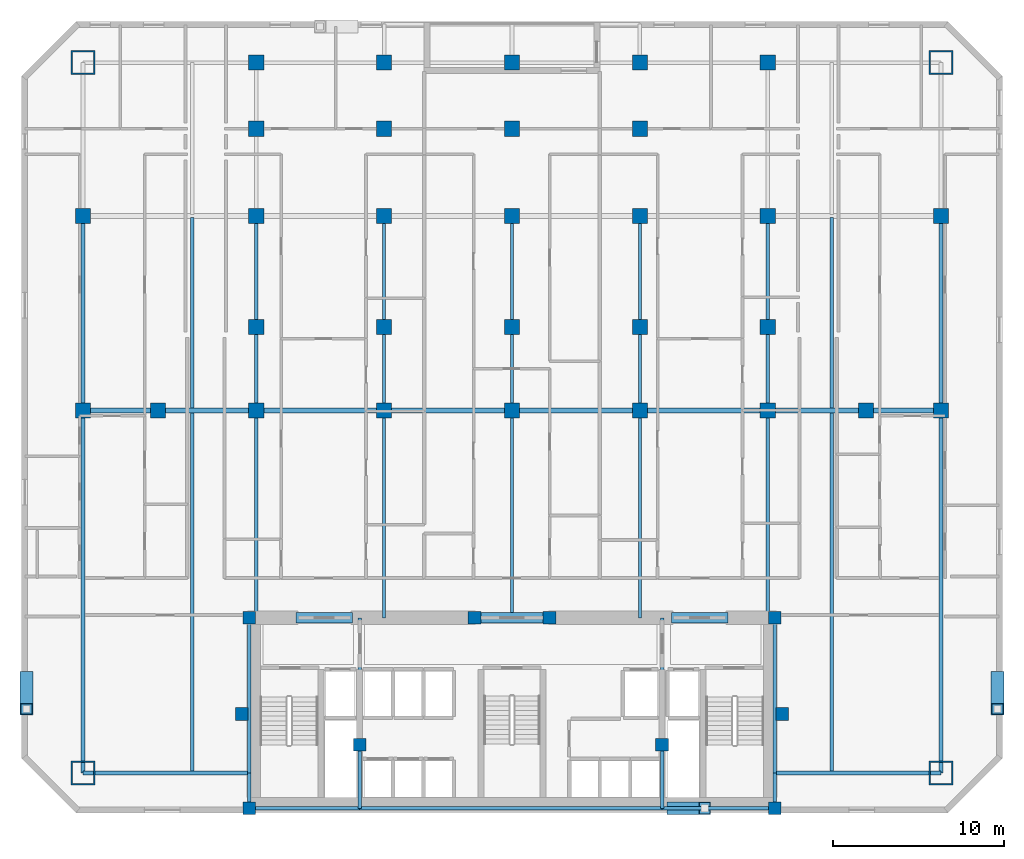
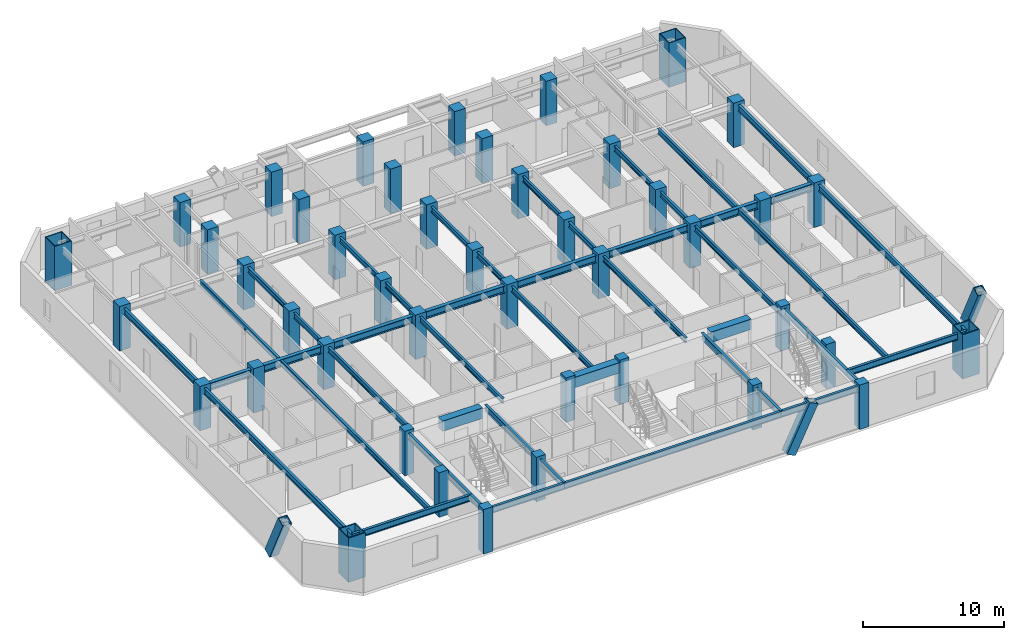
# One storey, part 1 of 10: 44 columns, 42 beams, 3 members.
"""IFC4 building model written with IfcOpenShell, lengths in metres."""

from ifc_helpers import new_model, si_unit, direction, frame, origin, origin_2d, place, context, subcontext, project, spatial, rectangle, hollow_rectangle, i_section, extrude, material, material_profile, profile_set, type_object, element, save


model = new_model("IFC4")

# Units and contexts
model_context = context("Model", 3, precision=1e-05, world=origin(), true_north=direction((0.0, 1.0)))
body_context = subcontext(model_context, "Body", "Model", "MODEL_VIEW")
ifc_project = project(units=[si_unit("LENGTHUNIT", "METRE"), si_unit("AREAUNIT", "SQUARE_METRE"), si_unit("VOLUMEUNIT", "CUBIC_METRE"), si_unit("PLANEANGLEUNIT", "RADIAN"), si_unit("MASSUNIT", "GRAM", prefix="KILO")], contexts=[model_context])

# Site, building, storey
site_placement = place(None, origin())
site = spatial("IfcSite", under=ifc_project, at=site_placement, CompositionType="ELEMENT")
building_placement = place(site_placement, origin())
building = spatial("IfcBuilding", under=site, at=building_placement, Name="Ventersveld Concourse Tower", CompositionType="ELEMENT")
storey_placement = place(building_placement, frame((0.0, 0.0, 49.050048828125)))
storey = spatial("IfcBuildingStorey", under=building, at=storey_placement, Name="L11", CompositionType="ELEMENT", Elevation=49.050048828125)

# Columns
ifc_material_1 = material(Name="Concrete C50/60", Category="concrete")
ifc_material_profile_1 = material_profile(ifc_material_1, rectangle(XDim=0.75, YDim=0.75, at=origin_2d()), Name="RC 750x750")
ifc_profile_set_1 = profile_set([ifc_material_profile_1], Name="Concrete C50/60")
column_type_1 = type_object("IfcColumnType", Name="COL-RC750", PredefinedType="COLUMN", material=ifc_profile_set_1)
for number, where, z_axis, x_axis, name in (
    (1, (13.35009765625, 0.280029296875, 0.0), (0.0, 0.0, 1.0), (1.0, 0.0, 0.0), "L11 Core Spine Column CC-SW"),
    (2, (44.14990234375, 0.280029296875, 0.0), (0.0, 0.0, 1.0), (1.0, 0.0, 0.0), "L11 Core Spine Column CC-SE"),
    (3, (13.35009765625, 11.449951171875, 0.0), (0.0, 0.0, 1.0), (1.0, 0.0, 0.0), "L11 Core Spine Column CC-NW"),
    (4, (44.14990234375, 11.449951171875, 0.0), (0.0, 0.0, 1.0), (1.0, 0.0, 0.0), "L11 Core Spine Column CC-NE"),
    (5, (19.820068359375, 4.0, 0.0), (0.0, 0.0, 1.0), (1.0, 0.0, 0.0), "L11 Core Spine Column CM-1"),
    (6, (37.550048828125, 4.0, 0.0), (0.0, 0.0, 1.0), (1.0, 0.0, 0.0), "L11 Core Spine Column CM-2"),
    (7, (26.550048828125, 11.449951171875, 0.0), (0.0, 0.0, 1.0), (1.0, 0.0, 0.0), "L11 Core Spine Column CM-3"),
    (8, (30.949951171875, 11.449951171875, 0.0), (0.0, 0.0, 1.0), (1.0, 0.0, 0.0), "L11 Core Spine Column CM-4"),
):
    element("IfcColumn", number, at=place(storey_placement, frame(where, z_axis=z_axis, x_axis=x_axis)), inside=storey, type_object=column_type_1, Name=name, PredefinedType="COLUMN", context=body_context, shape_type="SweptSolid", body=[
        extrude(rectangle(XDim=0.75, YDim=0.75, at=origin_2d()), origin(), (0.0, 0.0, 1.0), 3.849853515625),
    ])
ifc_material_2 = material(Name="Concrete C60/75", Category="concrete")
ifc_material_profile_2 = material_profile(ifc_material_2, rectangle(XDim=0.89990234375, YDim=0.89990234375, at=origin_2d()), Name="RC 900x900")
ifc_profile_set_2 = profile_set([ifc_material_profile_2], Name="Concrete C60/75")
column_type_2 = type_object("IfcColumnType", Name="COL-RC900", PredefinedType="COLUMN", material=ifc_profile_set_2)
for number, where, z_axis, x_axis, name in (
    (9, (3.60009765625, 23.60009765625, 0.0), (0.0, 0.0, 1.0), (1.0, 0.0, 0.0), "L11 Interior Gravity Column X=3.60 Y=23.60"),
    (10, (8.0, 23.60009765625, 0.0), (0.0, 0.0, 1.0), (1.0, 0.0, 0.0), "L11 Interior Gravity Column X=8.00 Y=23.60"),
    (11, (13.75, 23.60009765625, 0.0), (0.0, 0.0, 1.0), (1.0, 0.0, 0.0), "L11 Interior Gravity Column X=13.75 Y=23.60"),
    (12, (21.25, 23.60009765625, 0.0), (0.0, 0.0, 1.0), (1.0, 0.0, 0.0), "L11 Interior Gravity Column X=21.25 Y=23.60"),
    (13, (28.75, 23.60009765625, 0.0), (0.0, 0.0, 1.0), (1.0, 0.0, 0.0), "L11 Interior Gravity Column X=28.75 Y=23.60"),
    (14, (36.25, 23.60009765625, 0.0), (0.0, 0.0, 1.0), (1.0, 0.0, 0.0), "L11 Interior Gravity Column X=36.25 Y=23.60"),
    (15, (43.75, 23.60009765625, 0.0), (0.0, 0.0, 1.0), (1.0, 0.0, 0.0), "L11 Interior Gravity Column X=43.75 Y=23.60"),
    (16, (49.5, 23.60009765625, 0.0), (0.0, 0.0, 1.0), (1.0, 0.0, 0.0), "L11 Interior Gravity Column X=49.50 Y=23.60"),
    (17, (53.89990234375, 23.60009765625, 0.0), (0.0, 0.0, 1.0), (1.0, 0.0, 0.0), "L11 Interior Gravity Column X=53.90 Y=23.60"),
    (18, (13.75, 28.5, 0.0), (0.0, 0.0, 1.0), (1.0, 0.0, 0.0), "L11 Upper-North Gravity Column X=13.75 Y=28.50"),
    (19, (21.25, 28.5, 0.0), (0.0, 0.0, 1.0), (1.0, 0.0, 0.0), "L11 Upper-North Gravity Column X=21.25 Y=28.50"),
    (20, (28.75, 28.5, 0.0), (0.0, 0.0, 1.0), (1.0, 0.0, 0.0), "L11 Upper-North Gravity Column X=28.75 Y=28.50"),
    (21, (36.25, 28.5, 0.0), (0.0, 0.0, 1.0), (1.0, 0.0, 0.0), "L11 Upper-North Gravity Column X=36.25 Y=28.50"),
    (22, (43.75, 28.5, 0.0), (0.0, 0.0, 1.0), (1.0, 0.0, 0.0), "L11 Upper-North Gravity Column X=43.75 Y=28.50"),
    (23, (3.60009765625, 35.0, 0.0), (0.0, 0.0, 1.0), (1.0, 0.0, 0.0), "L11 Flank Column X=3.60 Y=35.00"),
    (24, (53.89990234375, 35.0, 0.0), (0.0, 0.0, 1.0), (1.0, 0.0, 0.0), "L11 Flank Column X=53.90 Y=35.00"),
    (25, (13.75, 44.0, 0.0), (0.0, 0.0, 1.0), (1.0, 0.0, 0.0), "L11 North Perimeter Column X=13.75 Y=44.00"),
    (26, (21.25, 44.0, 0.0), (0.0, 0.0, 1.0), (1.0, 0.0, 0.0), "L11 North Perimeter Column X=21.25 Y=44.00"),
    (27, (28.75, 44.0, 0.0), (0.0, 0.0, 1.0), (1.0, 0.0, 0.0), "L11 North Perimeter Column X=28.75 Y=44.00"),
    (28, (36.25, 44.0, 0.0), (0.0, 0.0, 1.0), (1.0, 0.0, 0.0), "L11 North Perimeter Column X=36.25 Y=44.00"),
    (29, (43.75, 44.0, 0.0), (0.0, 0.0, 1.0), (1.0, 0.0, 0.0), "L11 North Perimeter Column X=43.75 Y=44.00"),
    (30, (13.75, 40.1201171875, 0.0), (0.0, 0.0, 1.0), (1.0, 0.0, 0.0), "L11 North Brace Node Column X=13.75 Y=40.12"),
    (31, (21.25, 40.1201171875, 0.0), (0.0, 0.0, 1.0), (1.0, 0.0, 0.0), "L11 North Brace Node Column X=21.25 Y=40.12"),
    (32, (28.75, 40.1201171875, 0.0), (0.0, 0.0, 1.0), (1.0, 0.0, 0.0), "L11 North Brace Node Column X=28.75 Y=40.12"),
    (33, (36.25, 40.1201171875, 0.0), (0.0, 0.0, 1.0), (1.0, 0.0, 0.0), "L11 North Brace Node Column X=36.25 Y=40.12"),
    (34, (13.75, 35.0, 0.0), (0.0, 0.0, 1.0), (1.0, 0.0, 0.0), "L11 Mid-North Column X=13.75 Y=35.00"),
    (35, (21.25, 35.0, 0.0), (0.0, 0.0, 1.0), (1.0, 0.0, 0.0), "L11 Mid-North Column X=21.25 Y=35.00"),
    (36, (28.75, 35.0, 0.0), (0.0, 0.0, 1.0), (1.0, 0.0, 0.0), "L11 Mid-North Column X=28.75 Y=35.00"),
    (37, (36.25, 35.0, 0.0), (0.0, 0.0, 1.0), (1.0, 0.0, 0.0), "L11 Mid-North Column X=36.25 Y=35.00"),
    (38, (43.75, 35.0, 0.0), (0.0, 0.0, 1.0), (1.0, 0.0, 0.0), "L11 Mid-North Column X=43.75 Y=35.00"),
):
    element("IfcColumn", number, at=place(storey_placement, frame(where, z_axis=z_axis, x_axis=x_axis)), inside=storey, type_object=column_type_2, Name=name, PredefinedType="COLUMN", context=body_context, shape_type="SweptSolid", body=[
        extrude(rectangle(XDim=0.89990234375, YDim=0.89990234375, at=origin_2d()), origin(), (0.0, 0.0, 1.0), 3.849853515625),
    ])
ifc_material_3 = material(Name="Structural steel S460ML", Category="steel")
ifc_material_profile_3 = material_profile(ifc_material_3, hollow_rectangle(XDim=1.39990234375, YDim=1.39990234375, WallThickness=0.080078125, at=origin_2d()), Name="BOX 1400x1400x80")
ifc_profile_set_3 = profile_set([ifc_material_profile_3], Name="Structural steel S460ML")
column_type_3 = type_object("IfcColumnType", Name="MC-1400", PredefinedType="USERDEFINED", material=ifc_profile_set_3)
for number, where, z_axis, x_axis, name in (
    (39, (3.60009765625, 2.35009765625, 0.0), (0.0, 0.0, 1.0), (1.0, 0.0, 0.0), "L11 Corner Mega-Column MC-SW"),
    (40, (53.89990234375, 2.35009765625, 0.0), (0.0, 0.0, 1.0), (1.0, 0.0, 0.0), "L11 Corner Mega-Column MC-SE"),
    (41, (53.89990234375, 44.0, 0.0), (0.0, 0.0, 1.0), (1.0, 0.0, 0.0), "L11 Corner Mega-Column MC-NE"),
    (42, (3.60009765625, 44.0, 0.0), (0.0, 0.0, 1.0), (1.0, 0.0, 0.0), "L11 Corner Mega-Column MC-NW"),
):
    element("IfcColumn", number, at=place(storey_placement, frame(where, z_axis=z_axis, x_axis=x_axis)), inside=storey, type_object=column_type_3, Name=name, ObjectType="MEGA_COLUMN", PredefinedType="USERDEFINED", context=body_context, shape_type="SweptSolid", body=[
        extrude(hollow_rectangle(XDim=1.39990234375, YDim=1.39990234375, WallThickness=0.080078125, at=origin_2d()), origin(), (0.0, 0.0, 1.0), 3.849853515625),
    ])
ifc_material_profile_4 = material_profile(ifc_material_1, rectangle(XDim=0.75, YDim=0.75, at=origin_2d()), Name="RC 750x750")
ifc_profile_set_4 = profile_set([ifc_material_profile_4], Name="Concrete C50/60")
column_type_4 = type_object("IfcColumnType", Name="PIL-RC750", PredefinedType="PILASTER", material=ifc_profile_set_4)
for number, where, z_axis, x_axis, name in (
    (43, (12.89990234375, 5.800048828125, 0.0), (0.0, 0.0, 1.0), (1.0, 0.0, 0.0), "L11 Core Engaged Pilaster PIL-W"),
    (44, (44.60009765625, 5.800048828125, 0.0), (0.0, 0.0, 1.0), (1.0, 0.0, 0.0), "L11 Core Engaged Pilaster PIL-E"),
):
    element("IfcColumn", number, at=place(storey_placement, frame(where, z_axis=z_axis, x_axis=x_axis)), inside=storey, type_object=column_type_4, Name=name, PredefinedType="PILASTER", context=body_context, shape_type="SweptSolid", body=[
        extrude(rectangle(XDim=0.75, YDim=0.75, at=origin_2d()), origin(), (0.0, 0.0, 1.0), 3.849853515625),
    ])

# Beams
ifc_material_4 = material(Name="Structural steel S355J2", Category="steel")
ifc_material_profile_5 = material_profile(ifc_material_4, i_section(OverallWidth=0.19140625, OverallDepth=0.4599609375, WebThickness=0.010009765625, FlangeThickness=0.01611328125, FilletRadius=0.01025390625, at=origin_2d()), Name="UB 457x191x82")
ifc_profile_set_5 = profile_set([ifc_material_profile_5], Name="Structural steel S355J2")
beam_type_1 = type_object("IfcBeamType", Name="BM-UB457H", PredefinedType="BEAM", material=ifc_profile_set_5)
beam_1_placement = place(storey_placement, frame((10.0, 2.35009765625, 3.369873046875), z_axis=(0.0, 1.0, 0.0), x_axis=(-1.0, 0.0, 0.0)))
element("IfcBeam", 45, at=beam_1_placement, inside=storey, type_object=beam_type_1, Name="L11 N-S Composite Floor Beam South X=10.00", PredefinedType="BEAM", context=body_context, shape_type="SweptSolid", body=[
    extrude(i_section(OverallWidth=0.19140625, OverallDepth=0.4599609375, WebThickness=0.010009765625, FlangeThickness=0.01611328125, FilletRadius=0.01025390625, at=origin_2d()), origin(), (0.0, 0.0, 1.0), 21.15478515625),
])
beam_2_placement = place(storey_placement, frame((10.0, 23.695068359375, 3.369873046875), z_axis=(0.0, 1.0, 0.0), x_axis=(-1.0, 0.0, 0.0)))
element("IfcBeam", 46, at=beam_2_placement, inside=storey, type_object=beam_type_1, Name="L11 N-S Composite Floor Beam Mid X=10.00", PredefinedType="BEAM", context=body_context, shape_type="SweptSolid", body=[
    extrude(i_section(OverallWidth=0.19140625, OverallDepth=0.4599609375, WebThickness=0.010009765625, FlangeThickness=0.01611328125, FilletRadius=0.01025390625, at=origin_2d()), origin(), (0.0, 0.0, 1.0), 11.2099609375),
])
beam_3_placement = place(storey_placement, frame((13.75, 11.449951171875, 3.369873046875), z_axis=(0.0, 1.0, 0.0), x_axis=(-1.0, 0.0, 0.0)))
element("IfcBeam", 47, at=beam_3_placement, inside=storey, type_object=beam_type_1, Name="L11 N-S Composite Floor Beam South X=13.75", PredefinedType="BEAM", context=body_context, shape_type="SweptSolid", body=[
    extrude(i_section(OverallWidth=0.19140625, OverallDepth=0.4599609375, WebThickness=0.010009765625, FlangeThickness=0.01611328125, FilletRadius=0.01025390625, at=origin_2d()), origin(), (0.0, 0.0, 1.0), 12.150146484375),
])
beam_4_placement = place(storey_placement, frame((13.75, 23.60009765625, 3.369873046875), z_axis=(0.0, 1.0, 0.0), x_axis=(-1.0, 0.0, 0.0)))
element("IfcBeam", 48, at=beam_4_placement, inside=storey, type_object=beam_type_1, Name="L11 N-S Composite Floor Beam Mid X=13.75", PredefinedType="BEAM", context=body_context, shape_type="SweptSolid", body=[
    extrude(i_section(OverallWidth=0.19140625, OverallDepth=0.4599609375, WebThickness=0.010009765625, FlangeThickness=0.01611328125, FilletRadius=0.01025390625, at=origin_2d()), origin(), (0.0, 0.0, 1.0), 11.39990234375),
])
beam_5_placement = place(storey_placement, frame((21.25, 11.449951171875, 3.369873046875), z_axis=(0.0, 1.0, 0.0), x_axis=(-1.0, 0.0, 0.0)))
element("IfcBeam", 49, at=beam_5_placement, inside=storey, type_object=beam_type_1, Name="L11 N-S Composite Floor Beam South X=21.25", PredefinedType="BEAM", context=body_context, shape_type="SweptSolid", body=[
    extrude(i_section(OverallWidth=0.19140625, OverallDepth=0.4599609375, WebThickness=0.010009765625, FlangeThickness=0.01611328125, FilletRadius=0.01025390625, at=origin_2d()), origin(), (0.0, 0.0, 1.0), 12.150146484375),
])
beam_6_placement = place(storey_placement, frame((21.25, 23.60009765625, 3.369873046875), z_axis=(0.0, 1.0, 0.0), x_axis=(-1.0, 0.0, 0.0)))
element("IfcBeam", 50, at=beam_6_placement, inside=storey, type_object=beam_type_1, Name="L11 N-S Composite Floor Beam Mid X=21.25", PredefinedType="BEAM", context=body_context, shape_type="SweptSolid", body=[
    extrude(i_section(OverallWidth=0.19140625, OverallDepth=0.4599609375, WebThickness=0.010009765625, FlangeThickness=0.01611328125, FilletRadius=0.01025390625, at=origin_2d()), origin(), (0.0, 0.0, 1.0), 11.39990234375),
])
beam_7_placement = place(storey_placement, frame((28.75, 11.449951171875, 3.369873046875), z_axis=(0.0, 1.0, 0.0), x_axis=(-1.0, 0.0, 0.0)))
element("IfcBeam", 51, at=beam_7_placement, inside=storey, type_object=beam_type_1, Name="L11 N-S Composite Floor Beam South X=28.75", PredefinedType="BEAM", context=body_context, shape_type="SweptSolid", body=[
    extrude(i_section(OverallWidth=0.19140625, OverallDepth=0.4599609375, WebThickness=0.010009765625, FlangeThickness=0.01611328125, FilletRadius=0.01025390625, at=origin_2d()), origin(), (0.0, 0.0, 1.0), 12.150146484375),
])
beam_8_placement = place(storey_placement, frame((28.75, 23.60009765625, 3.369873046875), z_axis=(0.0, 1.0, 0.0), x_axis=(-1.0, 0.0, 0.0)))
element("IfcBeam", 52, at=beam_8_placement, inside=storey, type_object=beam_type_1, Name="L11 N-S Composite Floor Beam Mid X=28.75", PredefinedType="BEAM", context=body_context, shape_type="SweptSolid", body=[
    extrude(i_section(OverallWidth=0.19140625, OverallDepth=0.4599609375, WebThickness=0.010009765625, FlangeThickness=0.01611328125, FilletRadius=0.01025390625, at=origin_2d()), origin(), (0.0, 0.0, 1.0), 11.39990234375),
])
beam_9_placement = place(storey_placement, frame((36.25, 11.449951171875, 3.369873046875), z_axis=(0.0, 1.0, 0.0), x_axis=(-1.0, 0.0, 0.0)))
element("IfcBeam", 53, at=beam_9_placement, inside=storey, type_object=beam_type_1, Name="L11 N-S Composite Floor Beam South X=36.25", PredefinedType="BEAM", context=body_context, shape_type="SweptSolid", body=[
    extrude(i_section(OverallWidth=0.19140625, OverallDepth=0.4599609375, WebThickness=0.010009765625, FlangeThickness=0.01611328125, FilletRadius=0.01025390625, at=origin_2d()), origin(), (0.0, 0.0, 1.0), 12.150146484375),
])
beam_10_placement = place(storey_placement, frame((36.25, 23.60009765625, 3.369873046875), z_axis=(0.0, 1.0, 0.0), x_axis=(-1.0, 0.0, 0.0)))
element("IfcBeam", 54, at=beam_10_placement, inside=storey, type_object=beam_type_1, Name="L11 N-S Composite Floor Beam Mid X=36.25", PredefinedType="BEAM", context=body_context, shape_type="SweptSolid", body=[
    extrude(i_section(OverallWidth=0.19140625, OverallDepth=0.4599609375, WebThickness=0.010009765625, FlangeThickness=0.01611328125, FilletRadius=0.01025390625, at=origin_2d()), origin(), (0.0, 0.0, 1.0), 11.39990234375),
])
beam_11_placement = place(storey_placement, frame((43.75, 11.449951171875, 3.369873046875), z_axis=(0.0, 1.0, 0.0), x_axis=(-1.0, 0.0, 0.0)))
element("IfcBeam", 55, at=beam_11_placement, inside=storey, type_object=beam_type_1, Name="L11 N-S Composite Floor Beam South X=43.75", PredefinedType="BEAM", context=body_context, shape_type="SweptSolid", body=[
    extrude(i_section(OverallWidth=0.19140625, OverallDepth=0.4599609375, WebThickness=0.010009765625, FlangeThickness=0.01611328125, FilletRadius=0.01025390625, at=origin_2d()), origin(), (0.0, 0.0, 1.0), 12.150146484375),
])
beam_12_placement = place(storey_placement, frame((43.75, 23.60009765625, 3.369873046875), z_axis=(0.0, 1.0, 0.0), x_axis=(-1.0, 0.0, 0.0)))
element("IfcBeam", 56, at=beam_12_placement, inside=storey, type_object=beam_type_1, Name="L11 N-S Composite Floor Beam Mid X=43.75", PredefinedType="BEAM", context=body_context, shape_type="SweptSolid", body=[
    extrude(i_section(OverallWidth=0.19140625, OverallDepth=0.4599609375, WebThickness=0.010009765625, FlangeThickness=0.01611328125, FilletRadius=0.01025390625, at=origin_2d()), origin(), (0.0, 0.0, 1.0), 11.39990234375),
])
beam_13_placement = place(storey_placement, frame((47.5, 2.35009765625, 3.369873046875), z_axis=(0.0, 1.0, 0.0), x_axis=(-1.0, 0.0, 0.0)))
element("IfcBeam", 57, at=beam_13_placement, inside=storey, type_object=beam_type_1, Name="L11 N-S Composite Floor Beam South X=47.50", PredefinedType="BEAM", context=body_context, shape_type="SweptSolid", body=[
    extrude(i_section(OverallWidth=0.19140625, OverallDepth=0.4599609375, WebThickness=0.010009765625, FlangeThickness=0.01611328125, FilletRadius=0.01025390625, at=origin_2d()), origin(), (0.0, 0.0, 1.0), 21.15478515625),
])
beam_14_placement = place(storey_placement, frame((47.5, 23.695068359375, 3.369873046875), z_axis=(0.0, 1.0, 0.0), x_axis=(-1.0, 0.0, 0.0)))
element("IfcBeam", 58, at=beam_14_placement, inside=storey, type_object=beam_type_1, Name="L11 N-S Composite Floor Beam Mid X=47.50", PredefinedType="BEAM", context=body_context, shape_type="SweptSolid", body=[
    extrude(i_section(OverallWidth=0.19140625, OverallDepth=0.4599609375, WebThickness=0.010009765625, FlangeThickness=0.01611328125, FilletRadius=0.01025390625, at=origin_2d()), origin(), (0.0, 0.0, 1.0), 11.2099609375),
])
ifc_material_profile_6 = material_profile(ifc_material_2, rectangle(XDim=0.60009765625, YDim=0.89990234375, at=origin_2d()), Name="RC 600x900")
ifc_profile_set_6 = profile_set([ifc_material_profile_6], Name="Concrete C60/75")
beam_type_2 = type_object("IfcBeamType", Name="CB-RC600x900L", PredefinedType="LINTEL", material=ifc_profile_set_6)
beam_15_placement = place(storey_placement, frame((16.10009765625, 11.449951171875, 3.14990234375), z_axis=(1.0, 0.0, 0.0), x_axis=(0.0, 1.0, 0.0)))
element("IfcBeam", 59, at=beam_15_placement, inside=storey, type_object=beam_type_2, Name="L11 Core Coupling Lintel Beam 1", PredefinedType="LINTEL", context=body_context, shape_type="SweptSolid", body=[
    extrude(rectangle(XDim=0.60009765625, YDim=0.89990234375, at=origin_2d()), origin(), (0.0, 0.0, 1.0), 3.2998046875),
])
beam_16_placement = place(storey_placement, frame((26.5, 11.449951171875, 3.14990234375), z_axis=(1.0, 0.0, 0.0), x_axis=(0.0, 1.0, 0.0)))
element("IfcBeam", 60, at=beam_16_placement, inside=storey, type_object=beam_type_2, Name="L11 Core Coupling Lintel Beam 2", PredefinedType="LINTEL", context=body_context, shape_type="SweptSolid", body=[
    extrude(rectangle(XDim=0.60009765625, YDim=0.89990234375, at=origin_2d()), origin(), (0.0, 0.0, 1.0), 4.5),
])
beam_17_placement = place(storey_placement, frame((38.10009765625, 11.449951171875, 3.14990234375), z_axis=(1.0, 0.0, 0.0), x_axis=(0.0, 1.0, 0.0)))
element("IfcBeam", 61, at=beam_17_placement, inside=storey, type_object=beam_type_2, Name="L11 Core Coupling Lintel Beam 3", PredefinedType="LINTEL", context=body_context, shape_type="SweptSolid", body=[
    extrude(rectangle(XDim=0.60009765625, YDim=0.89990234375, at=origin_2d()), origin(), (0.0, 0.0, 1.0), 3.2998046875),
])
ifc_material_profile_7 = material_profile(ifc_material_4, i_section(OverallWidth=0.2119140625, OverallDepth=0.54443359375, WebThickness=0.0126953125, FlangeThickness=0.021240234375, FilletRadius=0.0126953125, at=origin_2d()), Name="UB 533x210x122")
ifc_profile_set_7 = profile_set([ifc_material_profile_7], Name="Structural steel S355J2")
beam_type_3 = type_object("IfcBeamType", Name="GRD-UB533H", PredefinedType="T_BEAM", material=ifc_profile_set_7)
beam_18_placement = place(storey_placement, frame((13.35009765625, 0.280029296875, 3.32763671875), z_axis=(0.0, 1.0, 0.0), x_axis=(-1.0, 0.0, 0.0)))
element("IfcBeam", 62, at=beam_18_placement, inside=storey, type_object=beam_type_3, Name="L11 Core West Tie Beam S", PredefinedType="T_BEAM", context=body_context, shape_type="SweptSolid", body=[
    extrude(i_section(OverallWidth=0.2119140625, OverallDepth=0.54443359375, WebThickness=0.0126953125, FlangeThickness=0.021240234375, FilletRadius=0.0126953125, at=origin_2d()), origin(), (0.0, 0.0, 1.0), 2.070068359375),
])
beam_19_placement = place(storey_placement, frame((13.35009765625, 2.35009765625, 3.32763671875), z_axis=(0.0, 1.0, 0.0), x_axis=(-1.0, 0.0, 0.0)))
element("IfcBeam", 63, at=beam_19_placement, inside=storey, type_object=beam_type_3, Name="L11 Core West Tie Beam N", PredefinedType="T_BEAM", context=body_context, shape_type="SweptSolid", body=[
    extrude(i_section(OverallWidth=0.2119140625, OverallDepth=0.54443359375, WebThickness=0.0126953125, FlangeThickness=0.021240234375, FilletRadius=0.0126953125, at=origin_2d()), origin(), (0.0, 0.0, 1.0), 9.099853515625),
])
beam_20_placement = place(storey_placement, frame((44.14990234375, 0.280029296875, 3.32763671875), z_axis=(0.0, 1.0, 0.0), x_axis=(-1.0, 0.0, 0.0)))
element("IfcBeam", 64, at=beam_20_placement, inside=storey, type_object=beam_type_3, Name="L11 Core East Tie Beam S", PredefinedType="T_BEAM", context=body_context, shape_type="SweptSolid", body=[
    extrude(i_section(OverallWidth=0.2119140625, OverallDepth=0.54443359375, WebThickness=0.0126953125, FlangeThickness=0.021240234375, FilletRadius=0.0126953125, at=origin_2d()), origin(), (0.0, 0.0, 1.0), 2.070068359375),
])
beam_21_placement = place(storey_placement, frame((44.14990234375, 2.35009765625, 3.32763671875), z_axis=(0.0, 1.0, 0.0), x_axis=(-1.0, 0.0, 0.0)))
element("IfcBeam", 65, at=beam_21_placement, inside=storey, type_object=beam_type_3, Name="L11 Core East Tie Beam N", PredefinedType="T_BEAM", context=body_context, shape_type="SweptSolid", body=[
    extrude(i_section(OverallWidth=0.2119140625, OverallDepth=0.54443359375, WebThickness=0.0126953125, FlangeThickness=0.021240234375, FilletRadius=0.0126953125, at=origin_2d()), origin(), (0.0, 0.0, 1.0), 9.099853515625),
])
beam_22_placement = place(storey_placement, frame((13.35009765625, 0.280029296875, 3.32763671875), z_axis=(1.0, 0.0, 0.0), x_axis=(0.0, 1.0, 0.0)))
element("IfcBeam", 66, at=beam_22_placement, inside=storey, type_object=beam_type_3, Name="L11 Core South Tie Beam W", PredefinedType="T_BEAM", context=body_context, shape_type="SweptSolid", body=[
    extrude(i_section(OverallWidth=0.2119140625, OverallDepth=0.54443359375, WebThickness=0.0126953125, FlangeThickness=0.021240234375, FilletRadius=0.0126953125, at=origin_2d()), origin(), (0.0, 0.0, 1.0), 6.469970703125),
])
beam_23_placement = place(storey_placement, frame((19.820068359375, 0.280029296875, 3.32763671875), z_axis=(1.0, 0.0, 0.0), x_axis=(0.0, 1.0, 0.0)))
element("IfcBeam", 67, at=beam_23_placement, inside=storey, type_object=beam_type_3, Name="L11 Core South Tie Beam C", PredefinedType="T_BEAM", context=body_context, shape_type="SweptSolid", body=[
    extrude(i_section(OverallWidth=0.2119140625, OverallDepth=0.54443359375, WebThickness=0.0126953125, FlangeThickness=0.021240234375, FilletRadius=0.0126953125, at=origin_2d()), origin(), (0.0, 0.0, 1.0), 17.72998046875),
])
beam_24_placement = place(storey_placement, frame((37.550048828125, 0.280029296875, 3.32763671875), z_axis=(1.0, 0.0, 0.0), x_axis=(0.0, 1.0, 0.0)))
element("IfcBeam", 68, at=beam_24_placement, inside=storey, type_object=beam_type_3, Name="L11 Core South Tie Beam E", PredefinedType="T_BEAM", context=body_context, shape_type="SweptSolid", body=[
    extrude(i_section(OverallWidth=0.2119140625, OverallDepth=0.54443359375, WebThickness=0.0126953125, FlangeThickness=0.021240234375, FilletRadius=0.0126953125, at=origin_2d()), origin(), (0.0, 0.0, 1.0), 6.599853515625),
])
beam_25_placement = place(storey_placement, frame((19.820068359375, 0.280029296875, 3.32763671875), z_axis=(0.0, 1.0, 0.0), x_axis=(-1.0, 0.0, 0.0)))
element("IfcBeam", 69, at=beam_25_placement, inside=storey, type_object=beam_type_3, Name="L11 Core Spine N-S Tie Beam W1", PredefinedType="T_BEAM", context=body_context, shape_type="SweptSolid", body=[
    extrude(i_section(OverallWidth=0.2119140625, OverallDepth=0.54443359375, WebThickness=0.0126953125, FlangeThickness=0.021240234375, FilletRadius=0.0126953125, at=origin_2d()), origin(), (0.0, 0.0, 1.0), 3.719970703125),
])
beam_26_placement = place(storey_placement, frame((19.820068359375, 4.0, 3.32763671875), z_axis=(0.0, 1.0, 0.0), x_axis=(-1.0, 0.0, 0.0)))
element("IfcBeam", 70, at=beam_26_placement, inside=storey, type_object=beam_type_3, Name="L11 Core Spine N-S Tie Beam W2", PredefinedType="T_BEAM", context=body_context, shape_type="SweptSolid", body=[
    extrude(i_section(OverallWidth=0.2119140625, OverallDepth=0.54443359375, WebThickness=0.0126953125, FlangeThickness=0.021240234375, FilletRadius=0.0126953125, at=origin_2d()), origin(), (0.0, 0.0, 1.0), 7.449951171875),
])
beam_27_placement = place(storey_placement, frame((37.550048828125, 0.280029296875, 3.32763671875), z_axis=(0.0, 1.0, 0.0), x_axis=(-1.0, 0.0, 0.0)))
element("IfcBeam", 71, at=beam_27_placement, inside=storey, type_object=beam_type_3, Name="L11 Core Spine N-S Tie Beam E1", PredefinedType="T_BEAM", context=body_context, shape_type="SweptSolid", body=[
    extrude(i_section(OverallWidth=0.2119140625, OverallDepth=0.54443359375, WebThickness=0.0126953125, FlangeThickness=0.021240234375, FilletRadius=0.0126953125, at=origin_2d()), origin(), (0.0, 0.0, 1.0), 3.719970703125),
])
beam_28_placement = place(storey_placement, frame((37.550048828125, 4.0, 3.32763671875), z_axis=(0.0, 1.0, 0.0), x_axis=(-1.0, 0.0, 0.0)))
element("IfcBeam", 72, at=beam_28_placement, inside=storey, type_object=beam_type_3, Name="L11 Core Spine N-S Tie Beam E2", PredefinedType="T_BEAM", context=body_context, shape_type="SweptSolid", body=[
    extrude(i_section(OverallWidth=0.2119140625, OverallDepth=0.54443359375, WebThickness=0.0126953125, FlangeThickness=0.021240234375, FilletRadius=0.0126953125, at=origin_2d()), origin(), (0.0, 0.0, 1.0), 7.449951171875),
])
ifc_material_profile_8 = material_profile(ifc_material_4, i_section(OverallWidth=0.311279296875, OverallDepth=0.6357421875, WebThickness=0.018310546875, FlangeThickness=0.031494140625, FilletRadius=0.0166015625, at=origin_2d()), Name="UB 610x305x238")
ifc_profile_set_8 = profile_set([ifc_material_profile_8], Name="Structural steel S355J2")
beam_type_4 = type_object("IfcBeamType", Name="GRD-UB610H", PredefinedType="USERDEFINED", material=ifc_profile_set_8)
beam_29_placement = place(storey_placement, frame((3.60009765625, 23.60009765625, 3.281982421875), z_axis=(1.0, 0.0, 0.0), x_axis=(0.0, 1.0, 0.0)))
element("IfcBeam", 73, at=beam_29_placement, inside=storey, type_object=beam_type_4, Name="L11 Primary E-W Grid Girder Y=23.60 #1", ObjectType="GIRDER", PredefinedType="USERDEFINED", context=body_context, shape_type="SweptSolid", body=[
    extrude(i_section(OverallWidth=0.311279296875, OverallDepth=0.6357421875, WebThickness=0.018310546875, FlangeThickness=0.031494140625, FilletRadius=0.0166015625, at=origin_2d()), origin(), (0.0, 0.0, 1.0), 4.39990234375),
])
beam_30_placement = place(storey_placement, frame((8.0, 23.60009765625, 3.281982421875), z_axis=(1.0, 0.0, 0.0), x_axis=(0.0, 1.0, 0.0)))
element("IfcBeam", 74, at=beam_30_placement, inside=storey, type_object=beam_type_4, Name="L11 Primary E-W Grid Girder Y=23.60 #2", ObjectType="GIRDER", PredefinedType="USERDEFINED", context=body_context, shape_type="SweptSolid", body=[
    extrude(i_section(OverallWidth=0.311279296875, OverallDepth=0.6357421875, WebThickness=0.018310546875, FlangeThickness=0.031494140625, FilletRadius=0.0166015625, at=origin_2d()), origin(), (0.0, 0.0, 1.0), 5.75),
])
for number, where, z_axis, x_axis, name in (
    (75, (13.75, 23.60009765625, 3.281982421875), (1.0, 0.0, 0.0), (0.0, 1.0, 0.0), "L11 Primary E-W Grid Girder Y=23.60 #3"),
    (76, (21.25, 23.60009765625, 3.281982421875), (1.0, 0.0, 0.0), (0.0, 1.0, 0.0), "L11 Primary E-W Grid Girder Y=23.60 #4"),
    (77, (28.75, 23.60009765625, 3.281982421875), (1.0, 0.0, 0.0), (0.0, 1.0, 0.0), "L11 Primary E-W Grid Girder Y=23.60 #5"),
    (78, (36.25, 23.60009765625, 3.281982421875), (1.0, 0.0, 0.0), (0.0, 1.0, 0.0), "L11 Primary E-W Grid Girder Y=23.60 #6"),
):
    element("IfcBeam", number, at=place(storey_placement, frame(where, z_axis=z_axis, x_axis=x_axis)), inside=storey, type_object=beam_type_4, Name=name, ObjectType="GIRDER", PredefinedType="USERDEFINED", context=body_context, shape_type="SweptSolid", body=[
        extrude(i_section(OverallWidth=0.311279296875, OverallDepth=0.6357421875, WebThickness=0.018310546875, FlangeThickness=0.031494140625, FilletRadius=0.0166015625, at=origin_2d()), origin(), (0.0, 0.0, 1.0), 7.5),
    ])
beam_31_placement = place(storey_placement, frame((43.75, 23.60009765625, 3.281982421875), z_axis=(1.0, 0.0, 0.0), x_axis=(0.0, 1.0, 0.0)))
element("IfcBeam", 79, at=beam_31_placement, inside=storey, type_object=beam_type_4, Name="L11 Primary E-W Grid Girder Y=23.60 #7", ObjectType="GIRDER", PredefinedType="USERDEFINED", context=body_context, shape_type="SweptSolid", body=[
    extrude(i_section(OverallWidth=0.311279296875, OverallDepth=0.6357421875, WebThickness=0.018310546875, FlangeThickness=0.031494140625, FilletRadius=0.0166015625, at=origin_2d()), origin(), (0.0, 0.0, 1.0), 5.75),
])
beam_32_placement = place(storey_placement, frame((49.5, 23.60009765625, 3.281982421875), z_axis=(1.0, 0.0, 0.0), x_axis=(0.0, 1.0, 0.0)))
element("IfcBeam", 80, at=beam_32_placement, inside=storey, type_object=beam_type_4, Name="L11 Primary E-W Grid Girder Y=23.60 #8", ObjectType="GIRDER", PredefinedType="USERDEFINED", context=body_context, shape_type="SweptSolid", body=[
    extrude(i_section(OverallWidth=0.311279296875, OverallDepth=0.6357421875, WebThickness=0.018310546875, FlangeThickness=0.031494140625, FilletRadius=0.0166015625, at=origin_2d()), origin(), (0.0, 0.0, 1.0), 4.39990234375),
])

# Members
ifc_material_5 = material(Name="Structural steel S355ML", Category="steel")
ifc_material_profile_9 = material_profile(ifc_material_5, hollow_rectangle(XDim=0.75, YDim=0.75, WallThickness=0.044921875, at=origin_2d()), Name="BOX 750x750x45")
ifc_profile_set_9 = profile_set([ifc_material_profile_9], Name="Structural steel S355ML")
member_type = type_object("IfcMemberType", Name="MB-750x750", PredefinedType="BRACE", material=ifc_profile_set_9)
for number, where, z_axis, x_axis, name in (
    (81, (38.175048828125, 0.280029296875, -0.25), (0.437861906815, 0.0, 0.899042240699), (0.0, 1.0, 0.0), "L11 Exterior Mega-Brace S (Module M02)"),
    (82, (0.280029296875, 7.97509765625, -0.25), (0.0, -0.437861906815, 0.899042240699), (1.0, 0.0, 0.0), "L11 Exterior Mega-Brace W (Module M02)"),
    (83, (57.219970703125, 7.97509765625, -0.25), (0.0, -0.437861906815, 0.899042240699), (1.0, 0.0, 0.0), "L11 Exterior Mega-Brace E (Module M02)"),
):
    element("IfcMember", number, at=place(storey_placement, frame(where, z_axis=z_axis, x_axis=x_axis)), inside=storey, type_object=member_type, Name=name, PredefinedType="BRACE", context=body_context, shape_type="SweptSolid", body=[
        extrude(hollow_rectangle(XDim=0.75, YDim=0.75, WallThickness=0.044921875, at=origin_2d()), origin(), (0.0, 0.0, 1.0), 4.2822265625),
    ])

# Beams
ifc_material_profile_10 = material_profile(ifc_material_4, i_section(OverallWidth=0.2119140625, OverallDepth=0.54443359375, WebThickness=0.0126953125, FlangeThickness=0.021240234375, FilletRadius=0.0126953125, at=origin_2d()), Name="UB 533x210x122")
ifc_profile_set_10 = profile_set([ifc_material_profile_10], Name="Structural steel S355J2")
beam_type_5 = type_object("IfcBeamType", Name="SPD-UB533", PredefinedType="SPANDREL", material=ifc_profile_set_10)
for number, where, z_axis, x_axis, name in (
    (84, (3.60009765625, 2.35009765625, 3.32763671875), (1.0, 0.0, 0.0), (0.0, 1.0, 0.0), "L11 SW Spandrel Beam"),
    (85, (44.14990234375, 2.35009765625, 3.32763671875), (1.0, 0.0, 0.0), (0.0, 1.0, 0.0), "L11 SE Spandrel Beam"),
):
    element("IfcBeam", number, at=place(storey_placement, frame(where, z_axis=z_axis, x_axis=x_axis)), inside=storey, type_object=beam_type_5, Name=name, PredefinedType="SPANDREL", context=body_context, shape_type="SweptSolid", body=[
        extrude(i_section(OverallWidth=0.2119140625, OverallDepth=0.54443359375, WebThickness=0.0126953125, FlangeThickness=0.021240234375, FilletRadius=0.0126953125, at=origin_2d()), origin(), (0.0, 0.0, 1.0), 9.75),
    ])
beam_33_placement = place(storey_placement, frame((3.60009765625, 2.35009765625, 3.32763671875), z_axis=(0.0, 1.0, 0.0), x_axis=(-1.0, 0.0, 0.0)))
element("IfcBeam", 86, at=beam_33_placement, inside=storey, type_object=beam_type_5, Name="L11 West Spandrel Beam S", PredefinedType="SPANDREL", context=body_context, shape_type="SweptSolid", body=[
    extrude(i_section(OverallWidth=0.2119140625, OverallDepth=0.54443359375, WebThickness=0.0126953125, FlangeThickness=0.021240234375, FilletRadius=0.0126953125, at=origin_2d()), origin(), (0.0, 0.0, 1.0), 21.25),
])
beam_34_placement = place(storey_placement, frame((3.60009765625, 23.60009765625, 3.32763671875), z_axis=(0.0, 1.0, 0.0), x_axis=(-1.0, 0.0, 0.0)))
element("IfcBeam", 87, at=beam_34_placement, inside=storey, type_object=beam_type_5, Name="L11 West Spandrel Beam M", PredefinedType="SPANDREL", context=body_context, shape_type="SweptSolid", body=[
    extrude(i_section(OverallWidth=0.2119140625, OverallDepth=0.54443359375, WebThickness=0.0126953125, FlangeThickness=0.021240234375, FilletRadius=0.0126953125, at=origin_2d()), origin(), (0.0, 0.0, 1.0), 11.39990234375),
])
beam_35_placement = place(storey_placement, frame((53.89990234375, 2.35009765625, 3.32763671875), z_axis=(0.0, 1.0, 0.0), x_axis=(-1.0, 0.0, 0.0)))
element("IfcBeam", 88, at=beam_35_placement, inside=storey, type_object=beam_type_5, Name="L11 East Spandrel Beam S", PredefinedType="SPANDREL", context=body_context, shape_type="SweptSolid", body=[
    extrude(i_section(OverallWidth=0.2119140625, OverallDepth=0.54443359375, WebThickness=0.0126953125, FlangeThickness=0.021240234375, FilletRadius=0.0126953125, at=origin_2d()), origin(), (0.0, 0.0, 1.0), 21.25),
])
beam_36_placement = place(storey_placement, frame((53.89990234375, 23.60009765625, 3.32763671875), z_axis=(0.0, 1.0, 0.0), x_axis=(-1.0, 0.0, 0.0)))
element("IfcBeam", 89, at=beam_36_placement, inside=storey, type_object=beam_type_5, Name="L11 East Spandrel Beam M", PredefinedType="SPANDREL", context=body_context, shape_type="SweptSolid", body=[
    extrude(i_section(OverallWidth=0.2119140625, OverallDepth=0.54443359375, WebThickness=0.0126953125, FlangeThickness=0.021240234375, FilletRadius=0.0126953125, at=origin_2d()), origin(), (0.0, 0.0, 1.0), 11.39990234375),
])

save(model, "model.ifc")
